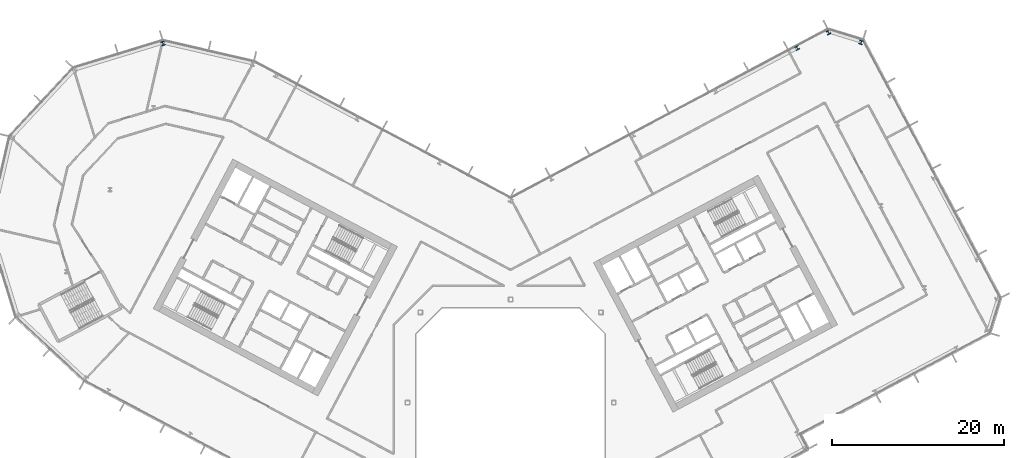
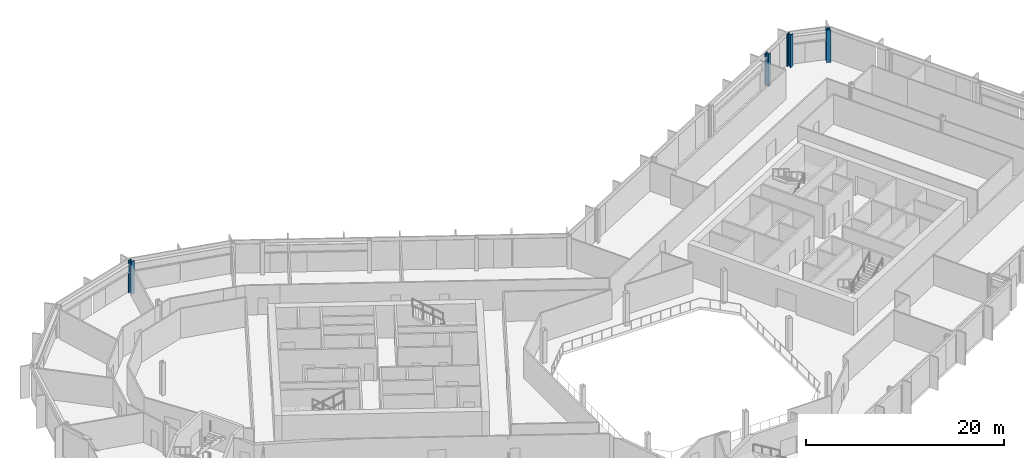
# One storey, part 8 of 28: 4 columns.
"""IFC4 building model written with IfcOpenShell, lengths in metres."""

from ifc_helpers import new_model, si_unit, direction, frame, origin, origin_2d, place, context, subcontext, project, spatial, i_section, extrude, material, material_profile, profile_set, type_object, element, save


model = new_model("IFC4")

# Units and contexts
model_context = context("Model", 3, precision=1e-05, world=origin(), true_north=direction((0.0, 1.0)))
body_context = subcontext(model_context, "Body", "Model", "MODEL_VIEW")
ifc_project = project(units=[si_unit("LENGTHUNIT", "METRE"), si_unit("AREAUNIT", "SQUARE_METRE"), si_unit("VOLUMEUNIT", "CUBIC_METRE"), si_unit("PLANEANGLEUNIT", "RADIAN"), si_unit("MASSUNIT", "GRAM", prefix="KILO")], contexts=[model_context])

# Site, building, storey
site_placement = place(None, origin())
site = spatial("IfcSite", under=ifc_project, at=site_placement, CompositionType="ELEMENT")
building_placement = place(site_placement, origin())
building = spatial("IfcBuilding", under=site, at=building_placement, Name="Cormorant Relay Tower", CompositionType="ELEMENT")
storey_placement = place(building_placement, frame((0.0, 0.0, 170.199951171875)))
storey = spatial("IfcBuildingStorey", under=building, at=storey_placement, Name="L36", CompositionType="ELEMENT", Elevation=170.199951171875)

# Columns
ifc_material_1 = material(Name="Steel ASTM A992 (Fy 345 MPa)", Category="steel")
ifc_material_profile_1 = material_profile(ifc_material_1, i_section(OverallWidth=0.41162109375, OverallDepth=0.434326171875, WebThickness=0.035888671875, FlangeThickness=0.057373046875, FilletRadius=0.01513671875, at=origin_2d()), Name="W360x463")
ifc_profile_set_1 = profile_set([ifc_material_profile_1], Name="Steel ASTM A992 (Fy 345 MPa)")
column_type_1 = type_object("IfcColumnType", Name="Column W360x463", PredefinedType="COLUMN", material=ifc_profile_set_1)
column_placement = place(storey_placement, frame((33.33203125, 41.258056640625, 0.0), z_axis=(0.0, 0.0, 1.0), x_axis=(-0.882947592859, -0.469471562786, 0.0)))
element("IfcColumn", 1, at=column_placement, inside=storey, type_object=column_type_1, Name="Column L36-047", PredefinedType="COLUMN", context=body_context, shape_type="SweptSolid", body=[
    extrude(i_section(OverallWidth=0.41162109375, OverallDepth=0.434326171875, WebThickness=0.035888671875, FlangeThickness=0.057373046875, FilletRadius=0.01513671875, at=origin_2d()), origin(), (0.0, 0.0, 1.0), 4.0),
])
ifc_material_2 = material(Name="Steel ASTM A992 (Fy 345 MPa)", Category="steel")
ifc_material_profile_2 = material_profile(ifc_material_2, i_section(OverallWidth=0.42431640625, OverallDepth=0.47509765625, WebThickness=0.0478515625, FlangeThickness=0.0771484375, FilletRadius=0.014892578125, at=origin_2d()), Name="W360x634")
ifc_profile_set_2 = profile_set([ifc_material_profile_2], Name="Steel ASTM A992 (Fy 345 MPa)")
column_type_2 = type_object("IfcColumnType", Name="Column W360x634", PredefinedType="COLUMN", material=ifc_profile_set_2)
for number, where, z_axis, x_axis, name in (
    (2, (-40.4541015625, 41.783935546875, 0.0), (0.0, 0.0, 1.0), (-0.956304755963, -0.292371704723, 0.0), "Column L36-048"),
    (3, (40.77197265625, 41.9130859375, 0.0), (0.0, 0.0, 1.0), (-0.956304755963, 0.292371704723, 0.0), "Column L36-049"),
    (4, (36.970947265625, 43.075927734375, 0.0), (0.0, 0.0, 1.0), (-0.882947592859, -0.469471562786, 0.0), "Column L36-050"),
):
    element("IfcColumn", number, at=place(storey_placement, frame(where, z_axis=z_axis, x_axis=x_axis)), inside=storey, type_object=column_type_2, Name=name, PredefinedType="COLUMN", context=body_context, shape_type="SweptSolid", body=[
        extrude(i_section(OverallWidth=0.42431640625, OverallDepth=0.47509765625, WebThickness=0.0478515625, FlangeThickness=0.0771484375, FilletRadius=0.014892578125, at=origin_2d()), origin(), (0.0, 0.0, 1.0), 4.0),
    ])

save(model, "model.ifc")
